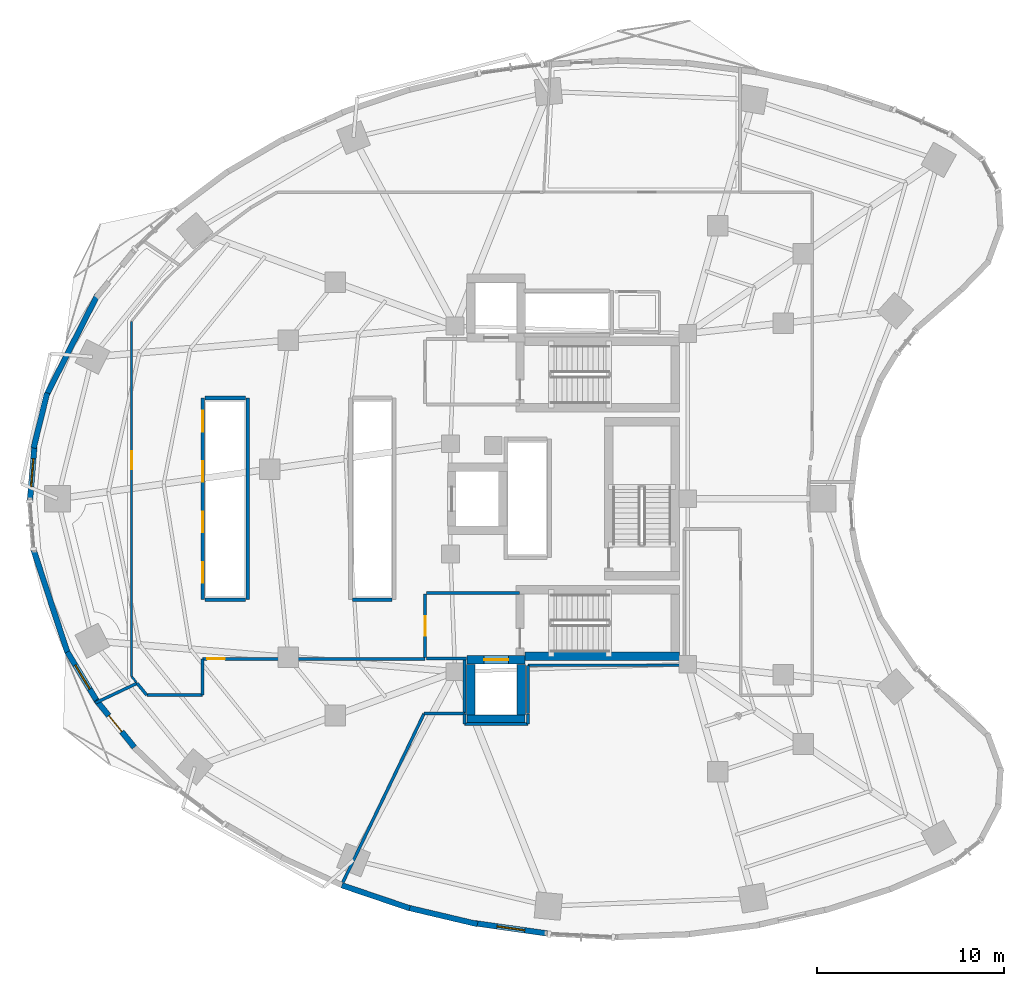
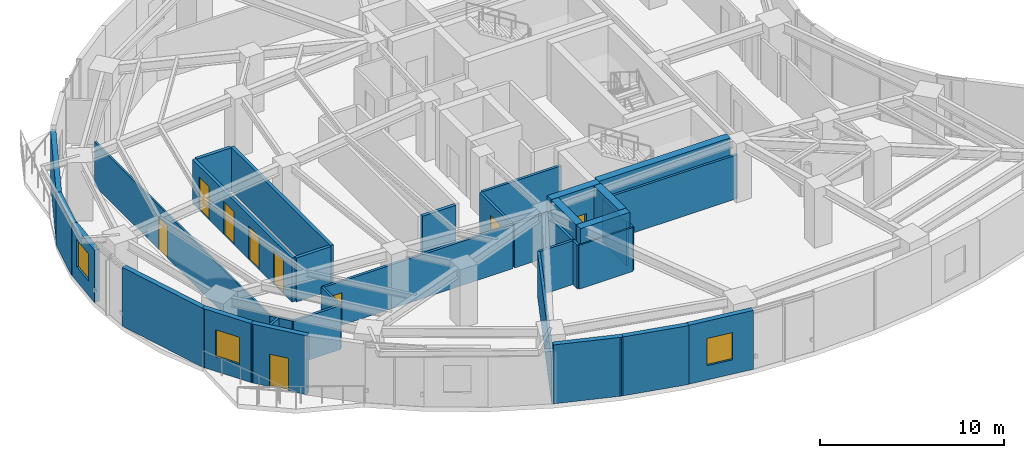
# One storey, part 8 of 14: 37 walls, 9 doors, 3 windows, 12 openings.
"""IFC4 building model written with IfcOpenShell, lengths in metres."""

from ifc_helpers import new_model, si_unit, direction, frame, frame_2d, origin, place, context, subcontext, project, spatial, rectangle, extrude, material, layer, layer_set, type_object, element, fill, save


model = new_model("IFC4")

# Units and contexts
model_context = context("Model", 3, precision=1e-05, world=origin(), true_north=direction((0.0, 1.0)))
body_context = subcontext(model_context, "Body", "Model", "MODEL_VIEW")
ifc_project = project(units=[si_unit("LENGTHUNIT", "METRE"), si_unit("AREAUNIT", "SQUARE_METRE"), si_unit("VOLUMEUNIT", "CUBIC_METRE"), si_unit("PLANEANGLEUNIT", "RADIAN"), si_unit("MASSUNIT", "GRAM", prefix="KILO")], contexts=[model_context])

# Site, building, storey
site_placement = place(None, origin())
site = spatial("IfcSite", under=ifc_project, at=site_placement, CompositionType="ELEMENT")
building_placement = place(site_placement, origin())
building = spatial("IfcBuilding", under=site, at=building_placement, Name="Korentha Bioscience Tower", CompositionType="ELEMENT")
storey_placement = place(building_placement, frame((0.0, 0.0, 63.60009765625)))
storey = spatial("IfcBuildingStorey", under=building, at=storey_placement, Name="L14", CompositionType="ELEMENT", Elevation=63.60009765625)

# Walls
ifc_material_1 = material(Name="Double-Stud Acoustic Gypsum", Category="gypsum")
ifc_layer_1 = layer(ifc_material_1, 0.14990234375, Name="Double-Stud Acoustic Gypsum")
ifc_layer_set_1 = layer_set([ifc_layer_1], Name="Double-Stud Acoustic Gypsum (IW-L150)")
wall_type_1 = type_object("IfcWallType", Name="Acoustic Laboratory Partition Wall 150", PredefinedType="PARTITIONING", material=ifc_layer_set_1)
wall_1_placement = place(storey_placement, frame((25.60400390625, 14.949951171875, 0.0), z_axis=(0.0, 0.0, 1.0), x_axis=(1.0, 0.0, 0.0)))
element("IfcWall", 1, at=wall_1_placement, inside=storey, type_object=wall_type_1, Name="L14 Interior Partition 017", PredefinedType="PARTITIONING", context=body_context, shape_type="SweptSolid", body=[
    extrude(rectangle(XDim=3.391845703125, YDim=0.14990234375, at=frame_2d((1.69580078125, 0.0))), origin(), (0.0, 0.0, 1.0), 2.909912109375),
])
wall_2_placement = place(storey_placement, frame((29.0, 14.9541015625, 0.0), z_axis=(0.0, 0.0, 1.0), x_axis=(0.0, 1.0, 0.0)))
element("IfcWall", 2, at=wall_2_placement, inside=storey, type_object=wall_type_1, Name="L14 Interior Partition 018", PredefinedType="PARTITIONING", context=body_context, shape_type="SweptSolid", body=[
    extrude(rectangle(XDim=0.543701171875, YDim=0.14990234375, at=frame_2d((0.27197265625, 0.0))), origin(), (0.0, 0.0, 1.0), 2.909912109375),
])
wall_3_placement = place(storey_placement, frame((29.0, 15.502197265625, 0.0), z_axis=(0.0, 0.0, 1.0), x_axis=(0.0, 1.0, 0.0)))
element("IfcWall", 3, at=wall_3_placement, inside=storey, type_object=wall_type_1, Name="L14 Interior Partition 019", PredefinedType="PARTITIONING", context=body_context, shape_type="SweptSolid", body=[
    extrude(rectangle(XDim=2.587890625, YDim=0.14990234375, at=frame_2d((1.2939453125, 0.0))), origin(), (0.0, 0.0, 1.0), 2.909912109375),
])
wall_4_placement = place(storey_placement, frame((29.0, 18.090087890625, 0.0), z_axis=(0.0, 0.0, 1.0), x_axis=(1.0, 0.0, 0.0)))
element("IfcWall", 4, at=wall_4_placement, inside=storey, type_object=wall_type_1, Name="L14 Interior Partition 020", PredefinedType="PARTITIONING", context=body_context, shape_type="SweptSolid", body=[
    extrude(rectangle(XDim=8.35009765625, YDim=0.14990234375, at=frame_2d((4.175048828125, 0.0))), origin(), (0.0, 0.0, 1.0), 2.909912109375),
])
wall_5_placement = place(storey_placement, frame((25.60009765625, 15.491943359375, 0.0), z_axis=(0.0, 0.0, 1.0), x_axis=(0.0, -1.0, 0.0)))
element("IfcWall", 5, at=wall_5_placement, inside=storey, type_object=wall_type_1, Name="L14 Interior Partition 030", PredefinedType="PARTITIONING", context=body_context, shape_type="SweptSolid", body=[
    extrude(rectangle(XDim=0.537841796875, YDim=0.14990234375, at=frame_2d((0.26904296875, 0.0))), origin(), (0.0, 0.0, 1.0), 2.909912109375),
])

# Wall, opening, door
ifc_material_2 = material(Name="Fire-Rated Framed Glass", Category="glass")
ifc_layer_2 = layer(ifc_material_2, 0.110107421875, Name="Fire-Rated Framed Glass")
ifc_layer_set_2 = layer_set([ifc_layer_2], Name="Fire-Rated Framed Glass (IW-G110)")
wall_type_2 = type_object("IfcWallType", Name="Demountable Glazed Office Partition 110", PredefinedType="MOVABLE", material=ifc_layer_set_2)
wall_6_placement = place(storey_placement, frame((7.7900390625, 36.501220703125, 0.0), z_axis=(0.0, 0.0, 1.0), x_axis=(0.0, -1.0, 0.0)))
wall_6 = element("IfcWall", 6, at=wall_6_placement, inside=storey, type_object=wall_type_2, Name="L14 Clinical Trials Data Office 06 Entrance Wall", PredefinedType="MOVABLE", context=body_context, shape_type="SweptSolid", body=[
    extrude(rectangle(XDim=19.00244140625, YDim=0.110107421875, at=frame_2d((9.501220703125, 0.0))), origin(), (0.0, 0.0, 1.0), 2.909912109375),
])
opening_1_placement = place(wall_6_placement, frame((6.956298828125, 0.0, 0.0)))
opening_1 = element("IfcOpeningElement", 7, at=opening_1_placement, cuts=wall_6, Name="Opening ID-10L", PredefinedType="OPENING", context=body_context, shape_type="SweptSolid", body=[
    extrude(rectangle(XDim=0.949951171875, YDim=2.14990234375, at=frame_2d((0.47509765625, 1.074951171875))), frame((0.0, 0.06982421875, 0.0), z_axis=(0.0, -1.0, 0.0), x_axis=(1.0, 0.0, 0.0)), (0.0, 0.0, 1.0), 0.139892578125),
])
ifc_material_3 = material(Name="Phenolic Laminate Timber Core", Category="wood")
door_type_1 = type_object("IfcDoorType", Name="Laboratory Single Leaf Door 950x2150 Left", OperationType="SINGLE_SWING_LEFT", PredefinedType="DOOR", material=ifc_material_3)
door_1_placement = place(opening_1_placement, origin())
door_1 = element("IfcDoor", 8, at=door_1_placement, inside=storey, type_object=door_type_1, Name="L14 Clinical Trials Data Office 06 Door", OperationType="SINGLE_SWING_LEFT", OverallHeight=2.14990234375, OverallWidth=0.949951171875, PredefinedType="DOOR", context=body_context, shape_type="SweptSolid", body=[
    extrude(rectangle(XDim=0.949951171875, YDim=2.14990234375, at=frame_2d((0.47509765625, 1.074951171875))), frame((0.0, 0.02490234375, 0.0), z_axis=(0.0, -1.0, 0.0), x_axis=(1.0, 0.0, 0.0)), (0.0, 0.0, 1.0), 0.050048828125),
])
fill(opening_1, door_1)

# Wall
wall_7_placement = place(storey_placement, frame((7.792236328125, 17.492431640625, 0.0), z_axis=(0.0, 0.0, 1.0), x_axis=(0.629086970035, -0.77733492404, 0.0)))
element("IfcWall", 9, at=wall_7_placement, inside=storey, type_object=wall_type_2, Name="L14 Interior Partition 045", PredefinedType="MOVABLE", context=body_context, shape_type="SweptSolid", body=[
    extrude(rectangle(XDim=0.378662109375, YDim=0.110107421875, at=frame_2d((0.189453125, 0.0))), origin(), (0.0, 0.0, 1.0), 2.909912109375),
])

# Wall, opening, door
ifc_material_4 = material(Name="Gypsum-Clad Steel Stud", Category="steel")
ifc_layer_3 = layer(ifc_material_4, 0.159912109375, Name="Gypsum-Clad Steel Stud")
ifc_layer_set_3 = layer_set([ifc_layer_3], Name="Gypsum-Clad Steel Stud (IW-C160)")
wall_type_3 = type_object("IfcWallType", Name="Fire-Rated Corridor Partition Wall 160", PredefinedType="PARTITIONING", material=ifc_layer_set_3)
wall_8_placement = place(storey_placement, frame((23.5, 18.5, 0.0), z_axis=(0.0, 0.0, 1.0), x_axis=(0.0, 1.0, 0.0)))
wall_8 = element("IfcWall", 10, at=wall_8_placement, inside=storey, type_object=wall_type_3, Name="L14 FFLS-CW Rated Enclosure Wall", PredefinedType="PARTITIONING", context=body_context, shape_type="SweptSolid", body=[
    extrude(rectangle(XDim=3.39990234375, YDim=0.159912109375, at=frame_2d((1.699951171875, 0.0))), origin(), (0.0, 0.0, 1.0), 2.909912109375),
])
opening_2_placement = place(wall_8_placement, frame((1.175048828125, 0.0, 0.0)))
opening_2 = element("IfcOpeningElement", 11, at=opening_2_placement, cuts=wall_8, Name="Opening FD-90L", PredefinedType="OPENING", context=body_context, shape_type="SweptSolid", body=[
    extrude(rectangle(XDim=1.050048828125, YDim=2.14990234375, at=frame_2d((0.52490234375, 1.074951171875))), frame((0.0, 0.0947265625, 0.0), z_axis=(0.0, -1.0, 0.0), x_axis=(1.0, 0.0, 0.0)), (0.0, 0.0, 1.0), 0.189697265625),
])
ifc_material_5 = material(Name="Powder-Coated Fire-Rated Steel", Category="steel")
door_type_2 = type_object("IfcDoorType", Name="Stairwell Fire Exit Door 1050x2150 Left", OperationType="SINGLE_SWING_LEFT", PredefinedType="DOOR", material=ifc_material_5)
door_2_placement = place(opening_2_placement, origin())
door_2 = element("IfcDoor", 12, at=door_2_placement, inside=storey, type_object=door_type_2, Name="L14 South Firefighting Lobby Door", OperationType="SINGLE_SWING_LEFT", OverallHeight=2.14990234375, OverallWidth=1.050048828125, PredefinedType="DOOR", context=body_context, shape_type="SweptSolid", body=[
    extrude(rectangle(XDim=1.050048828125, YDim=2.14990234375, at=frame_2d((0.52490234375, 1.074951171875))), frame((0.0, 0.02490234375, 0.0), z_axis=(0.0, -1.0, 0.0), x_axis=(1.0, 0.0, 0.0)), (0.0, 0.0, 1.0), 0.050048828125),
])
fill(opening_2, door_2)

# Walls
wall_9_placement = place(storey_placement, frame((23.580078125, 21.949951171875, 0.0), z_axis=(0.0, 0.0, 1.0), x_axis=(1.0, 0.0, 0.0)))
element("IfcWall", 13, at=wall_9_placement, inside=storey, type_object=wall_type_3, Name="L14 Firefighting Lobby Return Wall FFLS-N", PredefinedType="PARTITIONING", context=body_context, shape_type="SweptSolid", body=[
    extrude(rectangle(XDim=4.969970703125, YDim=0.159912109375, at=frame_2d((2.48486328125, 0.0))), origin(), (0.0, 0.0, 1.0), 2.909912109375),
])
wall_10_placement = place(storey_placement, frame((23.580078125, 18.449951171875, 0.0), z_axis=(0.0, 0.0, 1.0), x_axis=(1.0, 0.0, 0.0)))
element("IfcWall", 14, at=wall_10_placement, inside=storey, type_object=wall_type_3, Name="L14 Firefighting Lobby Return Wall FFLS-S", PredefinedType="PARTITIONING", context=body_context, shape_type="SweptSolid", body=[
    extrude(rectangle(XDim=2.119873046875, YDim=0.159912109375, at=frame_2d((1.06005859375, 0.0))), origin(), (0.0, 0.0, 1.0), 2.909912109375),
])

# Wall, opening, door
wall_11_placement = place(storey_placement, frame((11.590087890625, 18.43994140625, 0.0), z_axis=(0.0, 0.0, 1.0), x_axis=(1.0, 0.0, 0.0)))
wall_11 = element("IfcWall", 15, at=wall_11_placement, inside=storey, type_object=wall_type_3, Name="L14 Biospecimen Archive Store 01 Entrance Wall", PredefinedType="PARTITIONING", context=body_context, shape_type="SweptSolid", body=[
    extrude(rectangle(XDim=11.89990234375, YDim=0.159912109375, at=frame_2d((5.949951171875, 0.0))), origin(), (0.0, 0.0, 1.0), 2.909912109375),
])
opening_3_placement = place(wall_11_placement, frame((0.239990234375, 0.0, 0.0)))
opening_3 = element("IfcOpeningElement", 16, at=opening_3_placement, cuts=wall_11, Name="Opening ID-10R", PredefinedType="OPENING", context=body_context, shape_type="SweptSolid", body=[
    extrude(rectangle(XDim=0.949951171875, YDim=2.14990234375, at=frame_2d((0.47509765625, 1.074951171875))), frame((0.0, 0.0947265625, 0.0), z_axis=(0.0, -1.0, 0.0), x_axis=(1.0, 0.0, 0.0)), (0.0, 0.0, 1.0), 0.189697265625),
])
door_type_3 = type_object("IfcDoorType", Name="Laboratory Single Leaf Door 950x2150 Right", OperationType="SINGLE_SWING_RIGHT", PredefinedType="DOOR", material=ifc_material_3)
door_3_placement = place(opening_3_placement, origin())
door_3 = element("IfcDoor", 17, at=door_3_placement, inside=storey, type_object=door_type_3, Name="L14 Biospecimen Archive Store 01 Door", OperationType="SINGLE_SWING_RIGHT", OverallHeight=2.14990234375, OverallWidth=0.949951171875, PredefinedType="DOOR", context=body_context, shape_type="SweptSolid", body=[
    extrude(rectangle(XDim=0.949951171875, YDim=2.14990234375, at=frame_2d((0.47509765625, 1.074951171875))), frame((0.0, 0.02490234375, 0.0), z_axis=(0.0, -1.0, 0.0), x_axis=(1.0, 0.0, 0.0)), (0.0, 0.0, 1.0), 0.050048828125),
])
fill(opening_3, door_3)

# Walls
wall_12_placement = place(storey_placement, frame((5.848388671875, 16.07568359375, 0.0), z_axis=(0.0, 0.0, 1.0), x_axis=(0.904251823465, 0.426999578173, 0.0)))
element("IfcWall", 18, at=wall_12_placement, inside=storey, type_object=wall_type_3, Name="L14 Interior Partition 010", PredefinedType="PARTITIONING", context=body_context, shape_type="SweptSolid", body=[
    extrude(rectangle(XDim=2.472900390625, YDim=0.159912109375, at=frame_2d((1.236328125, 0.0))), origin(), (0.0, 0.0, 1.0), 2.909912109375),
])
wall_13_placement = place(storey_placement, frame((8.08447265625, 17.131591796875, 0.0), z_axis=(0.0, 0.0, 1.0), x_axis=(0.629146883335, -0.77728643317, 0.0)))
element("IfcWall", 19, at=wall_13_placement, inside=storey, type_object=wall_type_3, Name="L14 Interior Partition 011", PredefinedType="PARTITIONING", context=body_context, shape_type="SweptSolid", body=[
    extrude(rectangle(XDim=0.82080078125, YDim=0.159912109375, at=frame_2d((0.410400390625, 0.0))), origin(), (0.0, 0.0, 1.0), 2.909912109375),
])
wall_14_placement = place(storey_placement, frame((8.608642578125, 16.489990234375, 0.0), z_axis=(0.0, 0.0, 1.0), x_axis=(1.0, 0.0, 0.0)))
element("IfcWall", 20, at=wall_14_placement, inside=storey, type_object=wall_type_3, Name="L14 Interior Partition 012", PredefinedType="PARTITIONING", context=body_context, shape_type="SweptSolid", body=[
    extrude(rectangle(XDim=2.971435546875, YDim=0.159912109375, at=frame_2d((1.48583984375, 0.0))), origin(), (0.0, 0.0, 1.0), 2.909912109375),
])
wall_15_placement = place(storey_placement, frame((11.590087890625, 16.5, 0.0), z_axis=(0.0, 0.0, 1.0), x_axis=(0.0, 1.0, 0.0)))
element("IfcWall", 21, at=wall_15_placement, inside=storey, type_object=wall_type_3, Name="L14 Interior Partition 013", PredefinedType="PARTITIONING", context=body_context, shape_type="SweptSolid", body=[
    extrude(rectangle(XDim=1.93994140625, YDim=0.159912109375, at=frame_2d((0.969970703125, 0.0))), origin(), (0.0, 0.0, 1.0), 2.909912109375),
])
wall_16_placement = place(storey_placement, frame((25.60009765625, 18.435791015625, 0.0), z_axis=(0.0, 0.0, 1.0), x_axis=(0.0, -1.0, 0.0)))
element("IfcWall", 22, at=wall_16_placement, inside=storey, type_object=wall_type_3, Name="L14 Interior Partition 014", PredefinedType="PARTITIONING", context=body_context, shape_type="SweptSolid", body=[
    extrude(rectangle(XDim=2.93359375, YDim=0.159912109375, at=frame_2d((1.466796875, 0.0))), origin(), (0.0, 0.0, 1.0), 2.909912109375),
])
wall_17_placement = place(storey_placement, frame((25.599853515625, 15.501953125, 0.0), z_axis=(0.0, 0.0, 1.0), x_axis=(-1.0, 0.0, 0.0)))
element("IfcWall", 23, at=wall_17_placement, inside=storey, type_object=wall_type_3, Name="L14 Interior Partition 015", PredefinedType="PARTITIONING", context=body_context, shape_type="SweptSolid", body=[
    extrude(rectangle(XDim=2.1552734375, YDim=0.159912109375, at=frame_2d((1.07763671875, 0.0))), origin(), (0.0, 0.0, 1.0), 2.909912109375),
])
wall_18_placement = place(storey_placement, frame((23.43798828125, 15.497802734375, 0.0), z_axis=(0.0, 0.0, 1.0), x_axis=(-0.433521640822, -0.90114315563, 0.0)))
element("IfcWall", 24, at=wall_18_placement, inside=storey, type_object=wall_type_3, Name="L14 Interior Partition 016", PredefinedType="PARTITIONING", context=body_context, shape_type="SweptSolid", body=[
    extrude(rectangle(XDim=10.288330078125, YDim=0.159912109375, at=frame_2d((5.14404296875, 0.0))), origin(), (0.0, 0.0, 1.0), 2.909912109375),
])

# Wall, opening, window
ifc_material_6 = material(Name="Honed Limestone Precast Concrete C40", Category="masonry")
ifc_layer_4 = layer(ifc_material_6, 0.300048828125, Name="Honed Limestone Precast Concrete C40")
ifc_layer_set_4 = layer_set([ifc_layer_4], Name="Honed Limestone Precast Concrete C40 (EW-ST300)")
wall_type_4 = type_object("IfcWallType", Name="Honed Limestone Cavity Spandrel Wall 300", PredefinedType="STANDARD", material=ifc_layer_set_4)
wall_19_placement = place(storey_placement, frame((2.593994140625, 29.877685546875, 0.0), z_axis=(0.0, 0.0, 1.0), x_axis=(-0.08090887827, -0.996721502435, 0.0)))
wall_19 = element("IfcWall", 25, at=wall_19_placement, inside=storey, type_object=wall_type_4, Name="L14 Honed Limestone Spandrel Wall 18", PredefinedType="STANDARD", context=body_context, shape_type="SweptSolid", body=[
    extrude(rectangle(XDim=2.960205078125, YDim=0.300048828125, at=frame_2d((1.47998046875, 0.0))), origin(), (0.0, 0.0, 1.0), 3.469970703125),
])
opening_4_placement = place(wall_19_placement, frame((0.72998046875, 0.0, 0.949951171875)))
opening_4 = element("IfcOpeningElement", 26, at=opening_4_placement, cuts=wall_19, Name="Opening WN-02", PredefinedType="OPENING", context=body_context, shape_type="SweptSolid", body=[
    extrude(rectangle(XDim=1.5, YDim=1.800048828125, at=frame_2d((0.75, 0.89990234375))), frame((0.0, 0.1650390625, 0.0), z_axis=(0.0, -1.0, 0.0), x_axis=(1.0, 0.0, 0.0)), (0.0, 0.0, 1.0), 0.329833984375),
])
ifc_material_7 = material(Name="Thermally Broken Aluminium Triple Glazing", Category="aluminium")
window_type = type_object("IfcWindowType", Name="Acoustic Operable Office Window 1500x1800", PartitioningType="DOUBLE_PANEL_VERTICAL", PredefinedType="WINDOW", material=ifc_material_7)
window_1_placement = place(opening_4_placement, origin())
window_1 = element("IfcWindow", 27, at=window_1_placement, inside=storey, type_object=window_type, Name="L14 Facade Window 18", OverallHeight=1.800048828125, OverallWidth=1.5, PartitioningType="DOUBLE_PANEL_VERTICAL", PredefinedType="WINDOW", context=body_context, shape_type="SweptSolid", body=[
    extrude(rectangle(XDim=1.5, YDim=1.800048828125, at=frame_2d((0.75, 0.89990234375))), frame((0.0, 0.030029296875, 0.0), z_axis=(0.0, -1.0, 0.0), x_axis=(1.0, 0.0, 0.0)), (0.0, 0.0, 1.0), 0.06005859375),
])
fill(opening_4, window_1)

wall_20_placement = place(storey_placement, frame((4.352294921875, 18.8046875, 0.0), z_axis=(0.0, 0.0, 1.0), x_axis=(0.516447962267, -0.856318575222, 0.0)))
wall_20 = element("IfcWall", 28, at=wall_20_placement, inside=storey, type_object=wall_type_4, Name="L14 Honed Limestone Spandrel Wall 22", PredefinedType="STANDARD", context=body_context, shape_type="SweptSolid", body=[
    extrude(rectangle(XDim=3.142822265625, YDim=0.300048828125, at=frame_2d((1.5712890625, 0.0))), origin(), (0.0, 0.0, 1.0), 3.89990234375),
])
opening_5_placement = place(wall_20_placement, frame((0.8212890625, 0.0, 0.949951171875)))
opening_5 = element("IfcOpeningElement", 29, at=opening_5_placement, cuts=wall_20, Name="Opening WN-02", PredefinedType="OPENING", context=body_context, shape_type="SweptSolid", body=[
    extrude(rectangle(XDim=1.5, YDim=1.800048828125, at=frame_2d((0.75, 0.89990234375))), frame((0.0, 0.1650390625, 0.0), z_axis=(0.0, -1.0, 0.0), x_axis=(1.0, 0.0, 0.0)), (0.0, 0.0, 1.0), 0.329833984375),
])
window_2_placement = place(opening_5_placement, origin())
window_2 = element("IfcWindow", 30, at=window_2_placement, inside=storey, type_object=window_type, Name="L14 Facade Window 22", OverallHeight=1.800048828125, OverallWidth=1.5, PartitioningType="DOUBLE_PANEL_VERTICAL", PredefinedType="WINDOW", context=body_context, shape_type="SweptSolid", body=[
    extrude(rectangle(XDim=1.5, YDim=1.800048828125, at=frame_2d((0.75, 0.89990234375))), frame((0.0, 0.030029296875, 0.0), z_axis=(0.0, -1.0, 0.0), x_axis=(1.0, 0.0, 0.0)), (0.0, 0.0, 1.0), 0.06005859375),
])
fill(opening_5, window_2)

# Wall, opening, door
wall_21_placement = place(storey_placement, frame((5.893798828125, 16.229736328125, 0.0), z_axis=(0.0, 0.0, 1.0), x_axis=(0.629295540187, -0.777166084631, 0.0)))
wall_21 = element("IfcWall", 31, at=wall_21_placement, inside=storey, type_object=wall_type_4, Name="L14 Balcony Threshold Wall 03", PredefinedType="STANDARD", context=body_context, shape_type="SweptSolid", body=[
    extrude(rectangle(XDim=3.24755859375, YDim=0.300048828125, at=frame_2d((1.623779296875, 0.0))), origin(), (0.0, 0.0, 1.0), 3.89990234375),
])
opening_6_placement = place(wall_21_placement, frame((1.07373046875, 0.0, 0.0)))
opening_6 = element("IfcOpeningElement", 32, at=opening_6_placement, cuts=wall_21, Name="Opening BD-11L", PredefinedType="OPENING", context=body_context, shape_type="SweptSolid", body=[
    extrude(rectangle(XDim=1.10009765625, YDim=2.14990234375, at=frame_2d((0.550048828125, 1.074951171875))), frame((0.0, 0.1650390625, 0.0), z_axis=(0.0, -1.0, 0.0), x_axis=(1.0, 0.0, 0.0)), (0.0, 0.0, 1.0), 0.329833984375),
])
ifc_material_8 = material(Name="Thermally Broken Glazed Aluminium", Category="aluminium")
door_type_4 = type_object("IfcDoorType", Name="Balcony Terrace Glazed Door 1100x2150 Left", OperationType="SINGLE_SWING_LEFT", PredefinedType="DOOR", material=ifc_material_8)
door_4_placement = place(opening_6_placement, origin())
door_4 = element("IfcDoor", 33, at=door_4_placement, inside=storey, type_object=door_type_4, Name="L14 Balcony Access Door 03", OperationType="SINGLE_SWING_LEFT", OverallHeight=2.14990234375, OverallWidth=1.10009765625, PredefinedType="DOOR", context=body_context, shape_type="SweptSolid", body=[
    extrude(rectangle(XDim=1.10009765625, YDim=2.14990234375, at=frame_2d((0.550048828125, 1.074951171875))), frame((0.0, 0.02490234375, 0.0), z_axis=(0.0, -1.0, 0.0), x_axis=(1.0, 0.0, 0.0)), (0.0, 0.0, 1.0), 0.050048828125),
])
fill(opening_6, door_4)

# Wall, opening, window
wall_22_placement = place(storey_placement, frame((26.150390625, 4.2900390625, 0.0), z_axis=(0.0, 0.0, 1.0), x_axis=(0.990165573956, -0.139900450869, 0.0)))
wall_22 = element("IfcWall", 34, at=wall_22_placement, inside=storey, type_object=wall_type_4, Name="L14 Honed Limestone Spandrel Wall 30", PredefinedType="STANDARD", context=body_context, shape_type="SweptSolid", body=[
    extrude(rectangle(XDim=3.910888671875, YDim=0.300048828125, at=frame_2d((1.95556640625, 0.0))), origin(), (0.0, 0.0, 1.0), 3.89990234375),
])
opening_7_placement = place(wall_22_placement, frame((1.20556640625, 0.0, 0.949951171875)))
opening_7 = element("IfcOpeningElement", 35, at=opening_7_placement, cuts=wall_22, Name="Opening WN-02", PredefinedType="OPENING", context=body_context, shape_type="SweptSolid", body=[
    extrude(rectangle(XDim=1.5, YDim=1.800048828125, at=frame_2d((0.75, 0.89990234375))), frame((0.0, 0.1650390625, 0.0), z_axis=(0.0, -1.0, 0.0), x_axis=(1.0, 0.0, 0.0)), (0.0, 0.0, 1.0), 0.329833984375),
])
window_3_placement = place(opening_7_placement, origin())
window_3 = element("IfcWindow", 36, at=window_3_placement, inside=storey, type_object=window_type, Name="L14 Facade Window 30", OverallHeight=1.800048828125, OverallWidth=1.5, PartitioningType="DOUBLE_PANEL_VERTICAL", PredefinedType="WINDOW", context=body_context, shape_type="SweptSolid", body=[
    extrude(rectangle(XDim=1.5, YDim=1.800048828125, at=frame_2d((0.75, 0.89990234375))), frame((0.0, 0.030029296875, 0.0), z_axis=(0.0, -1.0, 0.0), x_axis=(1.0, 0.0, 0.0)), (0.0, 0.0, 1.0), 0.06005859375),
])
fill(opening_7, window_3)

# Walls
wall_23_placement = place(storey_placement, frame((5.968505859375, 37.925537109375, 0.0), z_axis=(0.0, 0.0, 1.0), x_axis=(-0.453093111502, -0.891463197395, 0.0)))
element("IfcWall", 37, at=wall_23_placement, inside=storey, type_object=wall_type_4, Name="L14 Limestone Perimeter Closure Wall 15", PredefinedType="STANDARD", context=body_context, shape_type="SweptSolid", body=[
    extrude(rectangle(XDim=6.102294921875, YDim=0.300048828125, at=frame_2d((3.05126953125, 0.0))), origin(), (0.0, 0.0, 1.0), 3.469970703125),
])
wall_24_placement = place(storey_placement, frame((3.27001953125, 32.664794921875, 0.0), z_axis=(0.0, 0.0, 1.0), x_axis=(-0.23859399274, -0.971119409047, 0.0)))
element("IfcWall", 38, at=wall_24_placement, inside=storey, type_object=wall_type_4, Name="L14 Limestone Perimeter Closure Wall 17", PredefinedType="STANDARD", context=body_context, shape_type="SweptSolid", body=[
    extrude(rectangle(XDim=3.032958984375, YDim=0.300048828125, at=frame_2d((1.5166015625, 0.0))), origin(), (0.0, 0.0, 1.0), 3.469970703125),
])
wall_25_placement = place(storey_placement, frame((2.537353515625, 24.289306640625, 0.0), z_axis=(0.0, 0.0, 1.0), x_axis=(0.31372816724, -0.949512841978, 0.0)))
element("IfcWall", 39, at=wall_25_placement, inside=storey, type_object=wall_type_4, Name="L14 Limestone Perimeter Closure Wall 20", PredefinedType="STANDARD", context=body_context, shape_type="SweptSolid", body=[
    extrude(rectangle(XDim=5.950927734375, YDim=0.300048828125, at=frame_2d((2.9755859375, 0.0))), origin(), (0.0, 0.0, 1.0), 3.89990234375),
])
wall_26_placement = place(storey_placement, frame((19.0400390625, 6.32080078125, 0.0), z_axis=(0.0, 0.0, 1.0), x_axis=(0.94702579403, -0.321157508773, 0.0)))
element("IfcWall", 40, at=wall_26_placement, inside=storey, type_object=wall_type_4, Name="L14 Limestone Perimeter Closure Wall 28", PredefinedType="STANDARD", context=body_context, shape_type="SweptSolid", body=[
    extrude(rectangle(XDim=3.829833984375, YDim=0.300048828125, at=frame_2d((1.9150390625, 0.0))), origin(), (0.0, 0.0, 1.0), 3.89990234375),
])
wall_27_placement = place(storey_placement, frame((22.50048828125, 5.138427734375, 0.0), z_axis=(0.0, 0.0, 1.0), x_axis=(0.973197600754, -0.229970497863, 0.0)))
element("IfcWall", 41, at=wall_27_placement, inside=storey, type_object=wall_type_4, Name="L14 Limestone Perimeter Closure Wall 29", PredefinedType="STANDARD", context=body_context, shape_type="SweptSolid", body=[
    extrude(rectangle(XDim=3.9013671875, YDim=0.300048828125, at=frame_2d((1.95068359375, 0.0))), origin(), (0.0, 0.0, 1.0), 3.89990234375),
])

# Wall, openings, doors
ifc_material_9 = material(Name="Autoclaved Aerated Concrete Block C25", Category="concrete")
ifc_layer_5 = layer(ifc_material_9, 0.199951171875, Name="Autoclaved Aerated Concrete Block C25")
ifc_layer_set_5 = layer_set([ifc_layer_5], Name="Autoclaved Aerated Concrete Block C25 (IW-S200)")
wall_type_5 = type_object("IfcWallType", Name="Lift and Riser Shaft Enclosure Wall 200", PredefinedType="PARTITIONING", material=ifc_layer_set_5)
wall_28_placement = place(storey_placement, frame((11.60009765625, 21.60009765625, 0.0), z_axis=(0.0, 0.0, 1.0), x_axis=(0.0, 1.0, 0.0)))
wall_28 = element("IfcWall", 42, at=wall_28_placement, inside=storey, type_object=wall_type_5, Name="L14 Lift Bank LOW Shaft Wall -X", PredefinedType="PARTITIONING", context=body_context, shape_type="SweptSolid", body=[
    extrude(rectangle(XDim=10.7998046875, YDim=0.199951171875, at=frame_2d((5.39990234375, 0.0))), origin(), (0.0, 0.0, 1.0), 2.909912109375),
])
opening_8_placement = place(wall_28_placement, frame((0.89990234375, 0.0, 0.0)))
opening_8 = element("IfcOpeningElement", 43, at=opening_8_placement, cuts=wall_28, Name="Opening LD-11", PredefinedType="OPENING", context=body_context, shape_type="SweptSolid", body=[
    extrude(rectangle(XDim=1.10009765625, YDim=2.199951171875, at=frame_2d((0.550048828125, 1.10009765625))), frame((0.0, 0.11474609375, 0.0), z_axis=(0.0, -1.0, 0.0), x_axis=(1.0, 0.0, 0.0)), (0.0, 0.0, 1.0), 0.229736328125),
])
opening_9_placement = place(wall_28_placement, frame((3.60009765625, 0.0, 0.0)))
opening_9 = element("IfcOpeningElement", 44, at=opening_9_placement, cuts=wall_28, Name="Opening LD-11", PredefinedType="OPENING", context=body_context, shape_type="SweptSolid", body=[
    extrude(rectangle(XDim=1.10009765625, YDim=2.199951171875, at=frame_2d((0.550048828125, 1.10009765625))), frame((0.0, 0.11474609375, 0.0), z_axis=(0.0, -1.0, 0.0), x_axis=(1.0, 0.0, 0.0)), (0.0, 0.0, 1.0), 0.229736328125),
])
opening_10_placement = place(wall_28_placement, frame((6.300048828125, 0.0, 0.0)))
opening_10 = element("IfcOpeningElement", 45, at=opening_10_placement, cuts=wall_28, Name="Opening LD-11", PredefinedType="OPENING", context=body_context, shape_type="SweptSolid", body=[
    extrude(rectangle(XDim=1.10009765625, YDim=2.199951171875, at=frame_2d((0.550048828125, 1.10009765625))), frame((0.0, 0.11474609375, 0.0), z_axis=(0.0, -1.0, 0.0), x_axis=(1.0, 0.0, 0.0)), (0.0, 0.0, 1.0), 0.229736328125),
])
opening_11_placement = place(wall_28_placement, frame((9.0, 0.0, 0.0)))
opening_11 = element("IfcOpeningElement", 46, at=opening_11_placement, cuts=wall_28, Name="Opening LD-11", PredefinedType="OPENING", context=body_context, shape_type="SweptSolid", body=[
    extrude(rectangle(XDim=1.10009765625, YDim=2.199951171875, at=frame_2d((0.550048828125, 1.10009765625))), frame((0.0, 0.11474609375, 0.0), z_axis=(0.0, -1.0, 0.0), x_axis=(1.0, 0.0, 0.0)), (0.0, 0.0, 1.0), 0.229736328125),
])
ifc_material_10 = material(Name="Brushed Stainless Steel 304", Category="steel")
door_type_5 = type_object("IfcDoorType", Name="Passenger Lift Sliding Landing Door 1100x2200", OperationType="DOUBLE_DOOR_SLIDING", PredefinedType="DOOR", material=ifc_material_10)
door_5_placement = place(opening_8_placement, origin())
door_5 = element("IfcDoor", 47, at=door_5_placement, inside=storey, type_object=door_type_5, Name="L14 PL-L1 Sliding Lift Landing Door", OperationType="DOUBLE_DOOR_SLIDING", OverallHeight=2.199951171875, OverallWidth=1.10009765625, PredefinedType="DOOR", context=body_context, shape_type="SweptSolid", body=[
    extrude(rectangle(XDim=1.10009765625, YDim=2.199951171875, at=frame_2d((0.550048828125, 1.10009765625))), frame((0.0, 0.02490234375, 0.0), z_axis=(0.0, -1.0, 0.0), x_axis=(1.0, 0.0, 0.0)), (0.0, 0.0, 1.0), 0.050048828125),
])
fill(opening_8, door_5)
door_6_placement = place(opening_9_placement, origin())
door_6 = element("IfcDoor", 48, at=door_6_placement, inside=storey, type_object=door_type_5, Name="L14 PL-L2 Sliding Lift Landing Door", OperationType="DOUBLE_DOOR_SLIDING", OverallHeight=2.199951171875, OverallWidth=1.10009765625, PredefinedType="DOOR", context=body_context, shape_type="SweptSolid", body=[
    extrude(rectangle(XDim=1.10009765625, YDim=2.199951171875, at=frame_2d((0.550048828125, 1.10009765625))), frame((0.0, 0.02490234375, 0.0), z_axis=(0.0, -1.0, 0.0), x_axis=(1.0, 0.0, 0.0)), (0.0, 0.0, 1.0), 0.050048828125),
])
fill(opening_9, door_6)
door_7_placement = place(opening_10_placement, origin())
door_7 = element("IfcDoor", 49, at=door_7_placement, inside=storey, type_object=door_type_5, Name="L14 PL-L3 Sliding Lift Landing Door", OperationType="DOUBLE_DOOR_SLIDING", OverallHeight=2.199951171875, OverallWidth=1.10009765625, PredefinedType="DOOR", context=body_context, shape_type="SweptSolid", body=[
    extrude(rectangle(XDim=1.10009765625, YDim=2.199951171875, at=frame_2d((0.550048828125, 1.10009765625))), frame((0.0, 0.02490234375, 0.0), z_axis=(0.0, -1.0, 0.0), x_axis=(1.0, 0.0, 0.0)), (0.0, 0.0, 1.0), 0.050048828125),
])
fill(opening_10, door_7)
door_8_placement = place(opening_11_placement, origin())
door_8 = element("IfcDoor", 50, at=door_8_placement, inside=storey, type_object=door_type_5, Name="L14 PL-L4 Sliding Lift Landing Door", OperationType="DOUBLE_DOOR_SLIDING", OverallHeight=2.199951171875, OverallWidth=1.10009765625, PredefinedType="DOOR", context=body_context, shape_type="SweptSolid", body=[
    extrude(rectangle(XDim=1.10009765625, YDim=2.199951171875, at=frame_2d((0.550048828125, 1.10009765625))), frame((0.0, 0.02490234375, 0.0), z_axis=(0.0, -1.0, 0.0), x_axis=(1.0, 0.0, 0.0)), (0.0, 0.0, 1.0), 0.050048828125),
])
fill(opening_11, door_8)

# Walls
wall_29_placement = place(storey_placement, frame((14.0, 21.60009765625, 0.0), z_axis=(0.0, 0.0, 1.0), x_axis=(0.0, 1.0, 0.0)))
element("IfcWall", 51, at=wall_29_placement, inside=storey, type_object=wall_type_5, Name="L14 Lift Bank LOW Shaft Wall +X", PredefinedType="PARTITIONING", context=body_context, shape_type="SweptSolid", body=[
    extrude(rectangle(XDim=10.7998046875, YDim=0.199951171875, at=frame_2d((5.39990234375, 0.0))), origin(), (0.0, 0.0, 1.0), 2.909912109375),
])
for number, where, z_axis, x_axis, name in (
    (52, (11.719970703125, 21.60009765625, 0.0), (0.0, 0.0, 1.0), (1.0, 0.0, 0.0), "L14 Lift Bank LOW Shaft Wall -Y"),
    (53, (11.719970703125, 32.39990234375, 0.0), (0.0, 0.0, 1.0), (1.0, 0.0, 0.0), "L14 Lift Bank LOW Shaft Wall +Y"),
):
    element("IfcWall", number, at=place(storey_placement, frame(where, z_axis=z_axis, x_axis=x_axis)), inside=storey, type_object=wall_type_5, Name=name, PredefinedType="PARTITIONING", context=body_context, shape_type="SweptSolid", body=[
        extrude(rectangle(XDim=2.159912109375, YDim=0.199951171875, at=frame_2d((1.080078125, 0.0))), origin(), (0.0, 0.0, 1.0), 2.909912109375),
    ])
wall_30_placement = place(storey_placement, frame((19.6201171875, 21.60009765625, 0.0), z_axis=(0.0, 0.0, 1.0), x_axis=(1.0, 0.0, 0.0)))
element("IfcWall", 54, at=wall_30_placement, inside=storey, type_object=wall_type_5, Name="L14 Lift Bank MID Shaft Wall -Y", PredefinedType="PARTITIONING", context=body_context, shape_type="SweptSolid", body=[
    extrude(rectangle(XDim=2.10986328125, YDim=0.199951171875, at=frame_2d((1.054931640625, 0.0))), origin(), (0.0, 0.0, 1.0), 2.909912109375),
])
ifc_material_11 = material(Name="Concrete C80", Category="concrete")
ifc_layer_6 = layer(ifc_material_11, 0.449951171875, Name="Concrete C80")
ifc_layer_set_6 = layer_set([ifc_layer_6], Name="Concrete C80 (CW-C80)")
wall_type_6 = type_object("IfcWallType", Name="Lower Core Shear Wall 450", PredefinedType="SHEAR", material=ifc_layer_set_6)
wall_31_placement = place(storey_placement, frame((28.85205078125, 18.574951171875, 0.0), z_axis=(0.0, 0.0, 1.0), x_axis=(1.0, 0.0, 0.0)))
element("IfcWall", 55, at=wall_31_placement, inside=storey, type_object=wall_type_6, Name="L14 Core Shear Wall ST2-S", PredefinedType="SHEAR", context=body_context, shape_type="SweptSolid", body=[
    extrude(rectangle(XDim=8.248046875, YDim=0.449951171875, at=frame_2d((4.1240234375, 0.0))), origin(), (0.0, 0.0, 1.0), 3.89990234375),
])
wall_32_placement = place(storey_placement, frame((25.75, 15.199951171875, 0.0), z_axis=(0.0, 0.0, 1.0), x_axis=(1.0, 0.0, 0.0)))
element("IfcWall", 56, at=wall_32_placement, inside=storey, type_object=wall_type_6, Name="L14 Core Shear Wall FFL1-S", PredefinedType="SHEAR", context=body_context, shape_type="SweptSolid", body=[
    extrude(rectangle(XDim=3.10009765625, YDim=0.449951171875, at=frame_2d((1.550048828125, 0.0))), origin(), (0.0, 0.0, 1.0), 3.89990234375),
])

# Wall, opening, door
wall_33_placement = place(storey_placement, frame((25.75, 18.3798828125, 0.0), z_axis=(0.0, 0.0, 1.0), x_axis=(1.0, 0.0, 0.0)))
wall_33 = element("IfcWall", 57, at=wall_33_placement, inside=storey, type_object=wall_type_6, Name="L14 Core Shear Wall FFL1-N", PredefinedType="SHEAR", context=body_context, shape_type="SweptSolid", body=[
    extrude(rectangle(XDim=3.10009765625, YDim=0.449951171875, at=frame_2d((1.550048828125, 0.0))), origin(), (0.0, 0.0, 1.0), 3.89990234375),
])
opening_12_placement = place(wall_33_placement, frame((0.89990234375, 0.0, 0.0)))
opening_12 = element("IfcOpeningElement", 58, at=opening_12_placement, cuts=wall_33, Name="Opening LD-13", PredefinedType="OPENING", context=body_context, shape_type="SweptSolid", body=[
    extrude(rectangle(XDim=1.300048828125, YDim=2.199951171875, at=frame_2d((0.64990234375, 1.10009765625))), frame((0.0, 0.23974609375, 0.0), z_axis=(0.0, -1.0, 0.0), x_axis=(1.0, 0.0, 0.0)), (0.0, 0.0, 1.0), 0.479736328125),
])
ifc_material_12 = material(Name="Brushed Stainless Steel 316", Category="steel")
door_type_6 = type_object("IfcDoorType", Name="Service & Firefighting Lift Landing Door 1300x2300", OperationType="DOUBLE_DOOR_SLIDING", PredefinedType="DOOR", material=ifc_material_12)
door_9_placement = place(opening_12_placement, origin())
door_9 = element("IfcDoor", 59, at=door_9_placement, inside=storey, type_object=door_type_6, Name="L14 FFL-1 Sliding Lift Landing Door", OperationType="DOUBLE_DOOR_SLIDING", OverallHeight=2.199951171875, OverallWidth=1.300048828125, PredefinedType="DOOR", context=body_context, shape_type="SweptSolid", body=[
    extrude(rectangle(XDim=1.300048828125, YDim=2.199951171875, at=frame_2d((0.64990234375, 1.10009765625))), frame((0.0, 0.02490234375, 0.0), z_axis=(0.0, -1.0, 0.0), x_axis=(1.0, 0.0, 0.0)), (0.0, 0.0, 1.0), 0.050048828125),
])
fill(opening_12, door_9)

# Walls
for number, where, z_axis, x_axis, name in (
    (60, (25.949951171875, 15.43994140625, 0.0), (0.0, 0.0, 1.0), (0.0, 1.0, 0.0), "L14 Core Shear Wall FFL1-W"),
    (61, (28.64990234375, 15.43994140625, 0.0), (0.0, 0.0, 1.0), (0.0, 1.0, 0.0), "L14 Core Shear Wall FFL1-E"),
):
    element("IfcWall", number, at=place(storey_placement, frame(where, z_axis=z_axis, x_axis=x_axis)), inside=storey, type_object=wall_type_6, Name=name, PredefinedType="SHEAR", context=body_context, shape_type="SweptSolid", body=[
        extrude(rectangle(XDim=2.699951171875, YDim=0.449951171875, at=frame_2d((1.35009765625, 0.0))), origin(), (0.0, 0.0, 1.0), 3.89990234375),
    ])

save(model, "model.ifc")
